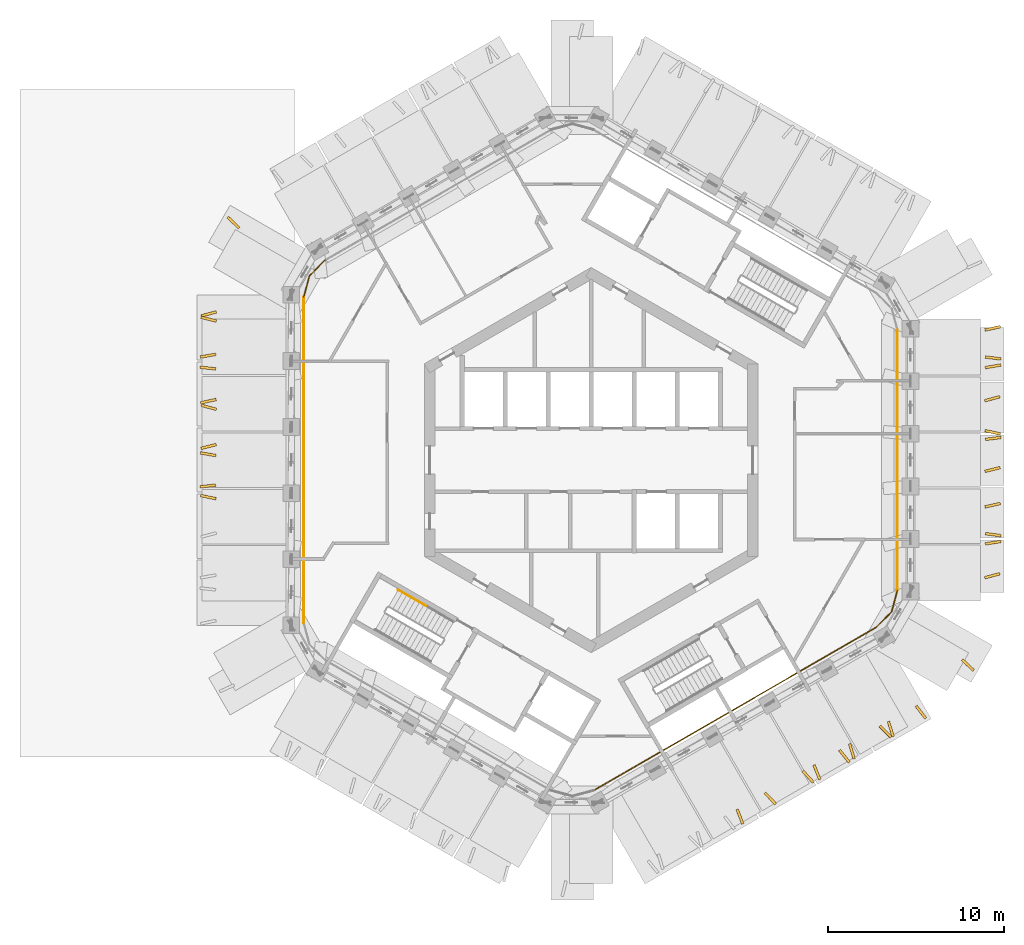
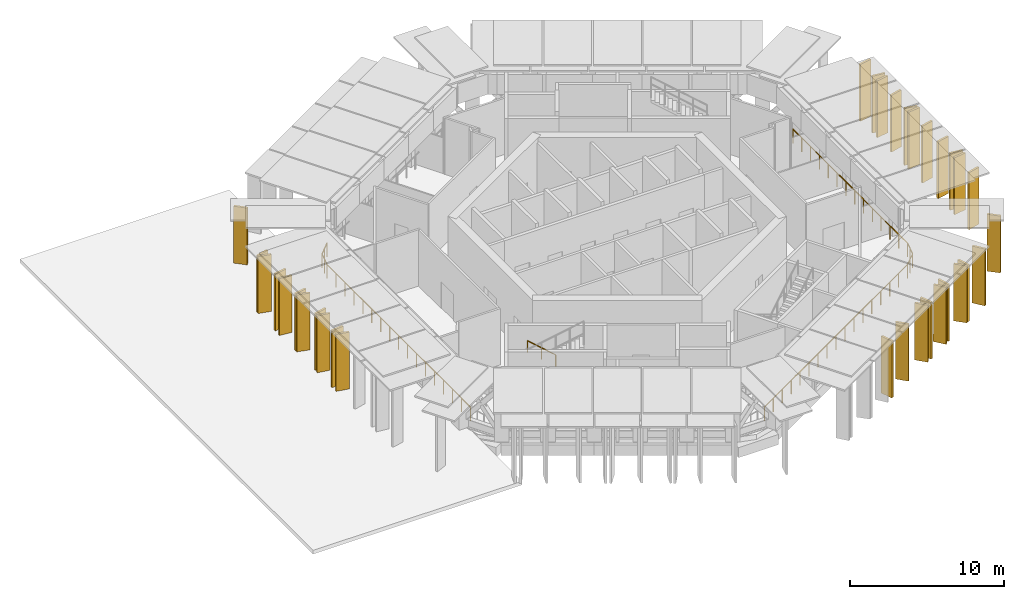
# One storey, part 14 of 15: 32 shading devices, 6 railings.
"""IFC4 building model written with IfcOpenShell, lengths in metres."""

from ifc_helpers import new_model, si_unit, direction, frame, origin, origin_2d, place, context, subcontext, project, spatial, polyline, circle, outline, extrude, material, layer, layer_set, type_object, element, save


model = new_model("IFC4")

# Units and contexts
model_context = context("Model", 3, precision=1e-05, world=origin(), true_north=direction((0.0, 1.0)))
body_context = subcontext(model_context, "Body", "Model", "MODEL_VIEW")
ifc_project = project(units=[si_unit("LENGTHUNIT", "METRE"), si_unit("AREAUNIT", "SQUARE_METRE"), si_unit("VOLUMEUNIT", "CUBIC_METRE"), si_unit("PLANEANGLEUNIT", "RADIAN"), si_unit("MASSUNIT", "GRAM", prefix="KILO")], contexts=[model_context])

# Site, building, storey
site_placement = place(None, origin())
site = spatial("IfcSite", under=ifc_project, at=site_placement, CompositionType="ELEMENT")
building_placement = place(site_placement, origin())
building = spatial("IfcBuilding", under=site, at=building_placement, Name="Ayvan Gate Tower", CompositionType="ELEMENT")
storey_placement = place(building_placement, frame((0.0, 0.0, 214.10009765625)))
storey = spatial("IfcBuildingStorey", under=building, at=storey_placement, Name="L57", CompositionType="ELEMENT", Elevation=214.10009765625)

# Shading devices
ifc_material_1 = material(Name="Bronze anodised aluminium", Category="aluminium")
ifc_layer = layer(ifc_material_1, 0.14990234375)
ifc_layer_set = layer_set([ifc_layer], Name="Bronze anodised aluminium")
shading_device_type = type_object("IfcShadingDeviceType", Name="Bronze fin 900 x 150", PredefinedType="USERDEFINED", material=ifc_layer_set)
shading_device_1_placement = place(storey_placement, frame((-19.9951171875, 13.2744140625, 0.0), z_axis=(0.690088518237, 0.723724908277, 0.00030681715), x_axis=(-0.723724942342, 0.690088550718, 0.0)))
element("IfcShadingDevice", 1, at=shading_device_1_placement, inside=storey, type_object=shading_device_type, Name="Bronze fin FG21.2.16", ObjectType="FIN", PredefinedType="USERDEFINED", context=body_context, shape_type="SweptSolid", body=[
    extrude(outline(polyline([(0.0, 0.0), (0.9000203660144157, 2.710505431213761e-20), (0.9000532140531101, 4.500000211807733), (3.2848038694404595e-05, 4.500000211807733), (0.0, 0.0)])), origin(), (0.0, 0.0, -1.0), 0.14990234375),
])
shading_device_2_placement = place(storey_placement, frame((-21.359130859375, 8.514892578125, 0.0), z_axis=(-0.256075212869, 0.966656801967, 0.000335506382), x_axis=(-0.966656856372, -0.256075227285, 1.1654e-08)))
element("IfcShadingDevice", 2, at=shading_device_2_placement, inside=storey, type_object=shading_device_type, Name="Bronze fin FG21.3.17", ObjectType="FIN", PredefinedType="USERDEFINED", context=body_context, shape_type="SweptSolid", body=[
    extrude(outline(polyline([(0.0, 0.0), (0.8998860824732328, -1.3552527156068805e-20), (0.9000252449052879, 4.500000242780941), (-9.683777702009976e-05, 4.500000263759003), (0.0, 0.0)])), origin(), (0.0, 0.0, -1.0), 0.14990234375),
])
shading_device_3_placement = place(storey_placement, frame((-21.326904296875, 7.990478515625, 0.0), z_axis=(0.242790920947, 0.970078584701, 0.00032895304), x_axis=(-0.970078637187, 0.242790934083, 0.0)))
element("IfcShadingDevice", 3, at=shading_device_3_placement, inside=storey, type_object=shading_device_type, Name="Bronze fin FG21.3.18", ObjectType="FIN", PredefinedType="USERDEFINED", context=body_context, shape_type="SweptSolid", body=[
    extrude(outline(polyline([(0.0, 0.0), (0.8999753644008668, 0.0), (0.8998565492233, 4.500000243472751), (-0.00011881517756681811, 4.500000243472751), (0.0, 0.0)])), origin(), (0.0, 0.0, -1.0), 0.14990234375),
])
shading_device_4_placement = place(storey_placement, frame((-21.380615234375, 6.099365234375, 0.0), z_axis=(-0.170906105942, 0.985287264735, 0.000330003781), x_axis=(-0.985287318385, -0.170906115249, 0.0)))
element("IfcShadingDevice", 4, at=shading_device_4_placement, inside=storey, type_object=shading_device_type, Name="Bronze fin FG21.3.19", ObjectType="FIN", PredefinedType="USERDEFINED", context=body_context, shape_type="SweptSolid", body=[
    extrude(outline(polyline([(0.0, 0.0), (0.8999595685990094, 0.0), (0.8999693706920529, 4.500000245030635), (9.802093043457987e-06, 4.500000245030635), (0.0, 0.0)])), origin(), (0.0, 0.0, -1.0), 0.14990234375),
])
shading_device_5_placement = place(storey_placement, frame((-21.37109375, 5.26513671875, 0.0), z_axis=(0.11528300629, 0.993332633019, 0.00032960497), x_axis=(-0.993332686977, 0.115283012552, 0.0)))
element("IfcShadingDevice", 5, at=shading_device_5_placement, inside=storey, type_object=shading_device_type, Name="Bronze fin FG21.3.20", ObjectType="FIN", PredefinedType="USERDEFINED", context=body_context, shape_type="SweptSolid", body=[
    extrude(outline(polyline([(0.0, 0.0), (0.9000438427842659, 6.776263578034403e-21), (0.9001174840468795, 4.500000244438752), (7.364126261360504e-05, 4.500000244438752), (0.0, 0.0)])), origin(), (0.0, 0.0, -1.0), 0.14990234375),
])
shading_device_6_placement = place(storey_placement, frame((-21.37255859375, 3.52490234375, 0.0), z_axis=(-0.207787369672, 0.978173962192, 0.00032968919), x_axis=(-0.978174015353, -0.207787380965, 0.0)))
element("IfcShadingDevice", 6, at=shading_device_6_placement, inside=storey, type_object=shading_device_type, Name="Bronze fin FG21.3.21", ObjectType="FIN", PredefinedType="USERDEFINED", context=body_context, shape_type="SweptSolid", body=[
    extrude(outline(polyline([(0.0, 0.0), (0.9000148030229282, 0.0), (0.900080367053797, 4.500000244563684), (6.556403086864944e-05, 4.500000244563684), (0.0, 0.0)])), origin(), (0.0, 0.0, -1.0), 0.14990234375),
])
shading_device_7_placement = place(storey_placement, frame((-21.320556640625, 2.96533203125, 0.0), z_axis=(0.256235539573, 0.966614322393, 0.000316235344), x_axis=(-0.966614370722, 0.256235552398, -4.1463e-08)))
element("IfcShadingDevice", 7, at=shading_device_7_placement, inside=storey, type_object=shading_device_type, Name="Bronze fin FG21.3.22", ObjectType="FIN", PredefinedType="USERDEFINED", context=body_context, shape_type="SweptSolid", body=[
    extrude(outline(polyline([(0.0, 0.0), (0.899948632788194, 0.0), (0.9000450808324824, 4.5000002623289665), (0.00015900555219804265, 4.500000187703233), (0.0, 0.0)])), origin(), (0.0, 0.0, -1.0), 0.14990234375),
])
shading_device_8_placement = place(storey_placement, frame((-21.363037109375, 0.962646484375, 0.0), z_axis=(-0.242790920947, 0.970078584701, 0.00032895304), x_axis=(-0.970078637187, -0.242790934083, 0.0)))
element("IfcShadingDevice", 8, at=shading_device_8_placement, inside=storey, type_object=shading_device_type, Name="Bronze fin FG21.3.23", ObjectType="FIN", PredefinedType="USERDEFINED", context=body_context, shape_type="SweptSolid", body=[
    extrude(outline(polyline([(0.0, 0.0), (0.8999753644008668, 0.0), (0.9000941795784336, 4.500000243472751), (0.00011881517756681811, 4.500000243472751), (0.0, 0.0)])), origin(), (0.0, 0.0, -1.0), 0.14990234375),
])
shading_device_9_placement = place(storey_placement, frame((-21.354248046875, 0.3330078125, 0.0), z_axis=(0.172663263432, 0.984980847638, 0.000356718683), x_axis=(-0.984980910309, 0.172663274401, 4.7658e-08)))
element("IfcShadingDevice", 9, at=shading_device_9_placement, inside=storey, type_object=shading_device_type, Name="Bronze fin FG21.3.24", ObjectType="FIN", PredefinedType="USERDEFINED", context=body_context, shape_type="SweptSolid", body=[
    extrude(outline(polyline([(0.0, 0.0), (0.8999705878542411, 6.776263578034403e-21), (0.8999583514517241, 4.5000002434183495), (-5.4390522243850554e-05, 4.5000003292018755), (0.0, 0.0)])), origin(), (0.0, 0.0, -1.0), 0.14990234375),
])
shading_device_10_placement = place(storey_placement, frame((-21.388671875, -1.34814453125, 0.0), z_axis=(-0.11203921428, 0.993703733429, 0.000323471267), x_axis=(-0.993703785416, -0.112039220141, 0.0)))
element("IfcShadingDevice", 10, at=shading_device_10_placement, inside=storey, type_object=shading_device_type, Name="Bronze fin FG21.3.25", ObjectType="FIN", PredefinedType="USERDEFINED", context=body_context, shape_type="SweptSolid", body=[
    extrude(outline(polyline([(0.0, 0.0), (0.8999534091546, 0.0), (0.9001175291059785, 4.5000002354257544), (0.00016411995137855526, 4.5000002354257544), (0.0, 0.0)])), origin(), (0.0, 0.0, -1.0), 0.14990234375),
])
shading_device_11_placement = place(storey_placement, frame((-21.34228515625, -2.126953125, 0.0), z_axis=(0.205887428835, 0.978575625192, 0.000335301915), x_axis=(-0.978575680201, 0.205887440411, -9.364e-09)))
element("IfcShadingDevice", 11, at=shading_device_11_placement, inside=storey, type_object=shading_device_type, Name="Bronze fin FG21.3.26", ObjectType="FIN", PredefinedType="USERDEFINED", context=body_context, shape_type="SweptSolid", body=[
    extrude(outline(polyline([(0.0, 0.0), (0.8999001576555774, 0.0), (0.9000763427416768, 4.500000261390321), (-6.272499207479672e-05, 4.500000244533969), (0.0, 0.0)])), origin(), (0.0, 0.0, -1.0), 0.14990234375),
])
shading_device_12_placement = place(storey_placement, frame((8.2421875, -19.906005859375, 0.0), z_axis=(-0.933016570808, -0.359833255176, 0.000327212146), x_axis=(0.359833274456, -0.933016620749, 5.7382e-08)))
element("IfcShadingDevice", 12, at=shading_device_12_placement, inside=storey, type_object=shading_device_type, Name="Bronze fin FG21.7.54", ObjectType="FIN", PredefinedType="USERDEFINED", context=body_context, shape_type="SweptSolid", body=[
    extrude(outline(polyline([(0.0, 0.0), (0.8999372348534267, 0.0), (0.8999211681529774, 4.5000001892633135), (-0.0001560040408527177, 4.500000292551663), (0.0, 0.0)])), origin(), (0.0, 0.0, -1.0), 0.14990234375),
])
shading_device_13_placement = place(storey_placement, frame((9.8369140625, -18.991943359375, 0.0), z_axis=(-0.72537855598, -0.688350069484, 0.000363821281), x_axis=(0.688350115031, -0.725378603997, -3.5799e-08)))
element("IfcShadingDevice", 13, at=shading_device_13_placement, inside=storey, type_object=shading_device_type, Name="Bronze fin FG21.7.55", ObjectType="FIN", PredefinedType="USERDEFINED", context=body_context, shape_type="SweptSolid", body=[
    extrude(outline(polyline([(0.0, 0.0), (0.8999039621391457, -2.710505431213761e-20), (0.8998586002530065, 4.500000330037093), (-0.00021341611344182534, 4.50000026560037), (0.0, 0.0)])), origin(), (0.0, 0.0, -1.0), 0.14990234375),
])
shading_device_14_placement = place(storey_placement, frame((11.9951171875, -17.749755859375, 0.0), z_axis=(-0.733908371352, -0.67924840579, 0.00032510044), x_axis=(0.679248441693, -0.733908410129, 2.9954e-08)))
element("IfcShadingDevice", 14, at=shading_device_14_placement, inside=storey, type_object=shading_device_type, Name="Bronze fin FG21.7.57", ObjectType="FIN", PredefinedType="USERDEFINED", context=body_context, shape_type="SweptSolid", body=[
    extrude(outline(polyline([(0.0, 0.0), (0.899917077001317, 0.0), (0.8998638329185564, 4.500000210848731), (-0.0002324209407022968, 4.5000002647662), (0.0, 0.0)])), origin(), (0.0, 0.0, -1.0), 0.14990234375),
])
shading_device_15_placement = place(storey_placement, frame((12.616455078125, -17.38720703125, 0.0), z_axis=(-0.925529617351, -0.378675072046, 0.000342368047), x_axis=(0.37867509424, -0.925529671595, 0.0)))
element("IfcShadingDevice", 15, at=shading_device_15_placement, inside=storey, type_object=shading_device_type, Name="Bronze fin FG21.7.58", ObjectType="FIN", PredefinedType="USERDEFINED", context=body_context, shape_type="SweptSolid", body=[
    extrude(outline(polyline([(0.0, 0.0), (0.9000336110938485, 0.0), (0.9001363921539679, 4.500000263735752), (0.00010278106011949863, 4.500000263735752), (0.0, 0.0)])), origin(), (0.0, 0.0, -1.0), 0.14990234375),
])
shading_device_16_placement = place(storey_placement, frame((14.08447265625, -16.56005859375, 0.0), z_axis=(-0.77999469394, -0.625786040313, 0.000330415832), x_axis=(0.625786074466, -0.779994736524, -2.8041e-08)))
element("IfcShadingDevice", 16, at=shading_device_16_placement, inside=storey, type_object=shading_device_type, Name="Bronze fin FG21.7.59", ObjectType="FIN", PredefinedType="USERDEFINED", context=body_context, shape_type="SweptSolid", body=[
    extrude(outline(polyline([(0.0, 0.0), (0.9001350918053651, 0.0), (0.9001371510289431, 4.500000270883412), (0.0001924876260496746, 4.500000220407886), (0.0, 0.0)])), origin(), (0.0, 0.0, -1.0), 0.14990234375),
])
shading_device_17_placement = place(storey_placement, frame((14.647216796875, -16.1748046875, 0.0), z_axis=(-0.958339828165, -0.285630296931, 0.000327456015), x_axis=(0.285630312245, -0.958339879545, 0.0)))
element("IfcShadingDevice", 17, at=shading_device_17_placement, inside=storey, type_object=shading_device_type, Name="Bronze fin FG21.7.60", ObjectType="FIN", PredefinedType="USERDEFINED", context=body_context, shape_type="SweptSolid", body=[
    extrude(outline(polyline([(0.0, 0.0), (0.9000448030340306, 0.0), (0.9002292371145785, 4.500000241261764), (0.00018443408054786192, 4.500000241261764), (0.0, 0.0)])), origin(), (0.0, 0.0, -1.0), 0.14990234375),
])
shading_device_18_placement = place(storey_placement, frame((16.392333984375, -15.197998046875, 0.0), z_axis=(-0.707310149872, -0.706903260045, 0.000364453962), x_axis=(0.706903306983, -0.707310196856, -3.4939e-08)))
element("IfcShadingDevice", 18, at=shading_device_18_placement, inside=storey, type_object=shading_device_type, Name="Bronze fin FG21.7.61", ObjectType="FIN", PredefinedType="USERDEFINED", context=body_context, shape_type="SweptSolid", body=[
    extrude(outline(polyline([(0.0, 0.0), (0.9001110867671362, -2.710505431213761e-20), (0.9001104328476766, 4.50000033030949), (0.000172029234069636, 4.500000267416668), (0.0, 0.0)])), origin(), (0.0, 0.0, -1.0), 0.14990234375),
])
shading_device_19_placement = place(storey_placement, frame((16.8583984375, -14.9033203125, 0.0), z_axis=(-0.955284924881, -0.29568665856, 0.000335028187), x_axis=(0.295686675159, -0.955284978492, 1.3438e-08)))
element("IfcShadingDevice", 19, at=shading_device_19_placement, inside=storey, type_object=shading_device_type, Name="Bronze fin FG21.7.62", ObjectType="FIN", PredefinedType="USERDEFINED", context=body_context, shape_type="SweptSolid", body=[
    extrude(outline(polyline([(0.0, 0.0), (0.8998674036121587, 0.0), (0.9000673749909106, 4.500000240453381), (-3.325249295018073e-05, 4.500000264641908), (0.0, 0.0)])), origin(), (0.0, 0.0, -1.0), 0.14990234375),
])
shading_device_20_placement = place(storey_placement, frame((18.446533203125, -14.044677734375, 0.0), z_axis=(-0.791159675892, -0.611609554041, 0.000347343565), x_axis=(0.611609590936, -0.791159723618, 0.0)))
element("IfcShadingDevice", 20, at=shading_device_20_placement, inside=storey, type_object=shading_device_type, Name="Bronze fin FG21.7.63", ObjectType="FIN", PredefinedType="USERDEFINED", context=body_context, shape_type="SweptSolid", body=[
    extrude(outline(polyline([(0.0, 0.0), (0.900144663416503, 2.710505431213761e-20), (0.9001186402378422, 4.500000271457018), (-2.602317866088346e-05, 4.500000271457018), (0.0, 0.0)])), origin(), (0.0, 0.0, -1.0), 0.14990234375),
])
shading_device_21_placement = place(storey_placement, frame((21.072998046875, -11.412109375, 0.0), z_axis=(-0.685982061592, -0.727618378893, 0.000325379383), x_axis=(0.727618417417, -0.685982097898, 3.0269e-08)))
element("IfcShadingDevice", 21, at=shading_device_21_placement, inside=storey, type_object=shading_device_type, Name="Bronze fin FG21.8.64", ObjectType="FIN", PredefinedType="USERDEFINED", context=body_context, shape_type="SweptSolid", body=[
    extrude(outline(polyline([(0.0, 0.0), (0.9001584324980664, 2.710505431213761e-20), (0.9001992291755354, 4.500000210963574), (0.00021843789265876574, 4.500000265451466), (0.0, 0.0)])), origin(), (0.0, 0.0, -1.0), 0.14990234375),
])
shading_device_22_placement = place(storey_placement, frame((22.43017578125, -6.77294921875, 0.0), z_axis=(0.257730177734, -0.96621687158, 0.000335497857), x_axis=(0.966216925959, 0.257730192236, -1.1728e-08)))
element("IfcShadingDevice", 22, at=shading_device_22_placement, inside=storey, type_object=shading_device_type, Name="Bronze fin FG21.9.65", ObjectType="FIN", PredefinedType="USERDEFINED", context=body_context, shape_type="SweptSolid", body=[
    extrude(outline(polyline([(0.0, 0.0), (0.9000264582252869, 4.0657581468206416e-20), (0.8999321543039109, 4.500000263811409), (0.0001415888828132334, 4.500000242703842), (0.0, 0.0)])), origin(), (0.0, 0.0, -1.0), 0.14990234375),
])
shading_device_23_placement = place(storey_placement, frame((22.45458984375, -4.847900390625, 0.0), z_axis=(0.15762015417, -0.987499761062, 0.000330003186), x_axis=(0.987499814832, 0.157620162752, 0.0)))
element("IfcShadingDevice", 23, at=shading_device_23_placement, inside=storey, type_object=shading_device_type, Name="Bronze fin FG21.9.67", ObjectType="FIN", PredefinedType="USERDEFINED", context=body_context, shape_type="SweptSolid", body=[
    extrude(outline(polyline([(0.0, 0.0), (0.8999210548215001, 6.776263578034403e-21), (0.8999108549098009, 4.50000024502975), (-1.0199911699177743e-05, 4.50000024502975), (0.0, 0.0)])), origin(), (0.0, 0.0, -1.0), 0.14990234375),
])
shading_device_24_placement = place(storey_placement, frame((22.439208984375, -4.26123046875, 0.0), z_axis=(-0.129658067103, -0.991558711913, 0.000326290218), x_axis=(0.991558764696, -0.129658074007, -5.739e-09)))
element("IfcShadingDevice", 24, at=shading_device_24_placement, inside=storey, type_object=shading_device_type, Name="Bronze fin FG21.9.68", ObjectType="FIN", PredefinedType="USERDEFINED", context=body_context, shape_type="SweptSolid", body=[
    extrude(outline(polyline([(0.0, 0.0), (0.8999325791840834, 0.0), (0.8999847043177099, 4.500000244711586), (-0.00018995464291049735, 4.500000234381544), (0.0, 0.0)])), origin(), (0.0, 0.0, -1.0), 0.14990234375),
])
shading_device_25_placement = place(storey_placement, frame((22.44189453125, -2.7412109375, 0.0), z_axis=(0.217275085237, -0.976110354839, 0.000335426148), x_axis=(0.976110409751, 0.217275097457, -9.883e-09)))
element("IfcShadingDevice", 25, at=shading_device_25_placement, inside=storey, type_object=shading_device_type, Name="Bronze fin FG21.9.69", ObjectType="FIN", PredefinedType="USERDEFINED", context=body_context, shape_type="SweptSolid", body=[
    extrude(outline(polyline([(0.0, 0.0), (0.9001608197652233, 0.0), (0.9000024329484332, 4.500000262043987), (7.99213887155723e-05, 4.500000244253435), (0.0, 0.0)])), origin(), (0.0, 0.0, -1.0), 0.14990234375),
])
shading_device_26_placement = place(storey_placement, frame((22.436279296875, -0.714599609375, 0.0), z_axis=(0.23761802562, -0.971358618431, 0.00032908907), x_axis=(0.97135867103, 0.237618038487, 0.0)))
element("IfcShadingDevice", 26, at=shading_device_26_placement, inside=storey, type_object=shading_device_type, Name="Bronze fin FG21.9.71", ObjectType="FIN", PredefinedType="USERDEFINED", context=body_context, shape_type="SweptSolid", body=[
    extrude(outline(polyline([(0.0, 0.0), (0.9000460944027884, -1.3552527156068805e-20), (0.9001570195883091, 4.5000002436741555), (0.00011092518552066503, 4.5000002436741555), (0.0, 0.0)])), origin(), (0.0, 0.0, -1.0), 0.14990234375),
])
shading_device_27_placement = place(storey_placement, frame((22.45947265625, 1.105712890625, 0.0), z_axis=(0.121513915601, -0.992589674425, 0.000326404894), x_axis=(0.9925897273, 0.121513922076, 5.38e-09)))
element("IfcShadingDevice", 27, at=shading_device_27_placement, inside=storey, type_object=shading_device_type, Name="Bronze fin FG21.9.73", ObjectType="FIN", PredefinedType="USERDEFINED", context=body_context, shape_type="SweptSolid", body=[
    extrude(outline(polyline([(0.0, 0.0), (0.8999814573440313, -6.776263578034403e-21), (0.9001594804620344, 4.5000002348727675), (-6.43083583885863e-05, 4.500000244557357), (0.0, 0.0)])), origin(), (0.0, 0.0, -1.0), 0.14990234375),
])
shading_device_28_placement = place(storey_placement, frame((22.41162109375, 1.60498046875, 0.0), z_axis=(-0.211584917724, -0.977359562257, 0.000329630116), x_axis=(0.977359615355, -0.211584929219, 0.0)))
element("IfcShadingDevice", 28, at=shading_device_28_placement, inside=storey, type_object=shading_device_type, Name="Bronze fin FG21.9.74", ObjectType="FIN", PredefinedType="USERDEFINED", context=body_context, shape_type="SweptSolid", body=[
    extrude(outline(polyline([(0.0, 0.0), (0.9000153659462496, 0.0), (0.8999440402724312, 4.50000024447605), (-7.132567381847293e-05, 4.50000024447605), (0.0, 0.0)])), origin(), (0.0, 0.0, -1.0), 0.14990234375),
])
shading_device_29_placement = place(storey_placement, frame((22.430419921875, 3.306640625, 0.0), z_axis=(0.256902745534, -0.966437202707, 0.000335502243), x_axis=(0.9664372571, 0.256902759988, -1.169e-08)))
element("IfcShadingDevice", 29, at=shading_device_29_placement, inside=storey, type_object=shading_device_type, Name="Bronze fin FG21.9.75", ObjectType="FIN", PredefinedType="USERDEFINED", context=body_context, shape_type="SweptSolid", body=[
    extrude(outline(polyline([(0.0, 0.0), (0.9000739406140514, 2.710505431213761e-20), (0.8999783172216723, 4.50000026378427), (0.00014032320359240872, 4.500000242744193), (0.0, 0.0)])), origin(), (0.0, 0.0, -1.0), 0.14990234375),
])
shading_device_30_placement = place(storey_placement, frame((22.45263671875, 5.189697265625, 0.0), z_axis=(0.169016515557, -0.985613163753, 0.000330007351), x_axis=(0.985613217423, 0.16901652476, 0.0)))
element("IfcShadingDevice", 30, at=shading_device_30_placement, inside=storey, type_object=shading_device_type, Name="Bronze fin FG21.9.77", ObjectType="FIN", PredefinedType="USERDEFINED", context=body_context, shape_type="SweptSolid", body=[
    extrude(outline(polyline([(0.0, 0.0), (0.8999096957572373, 0.0), (0.8999166503302694, 4.500000245035936), (6.954573032074877e-06, 4.500000245035936), (0.0, 0.0)])), origin(), (0.0, 0.0, -1.0), 0.14990234375),
])
shading_device_31_placement = place(storey_placement, frame((22.44189453125, 5.794921875, 0.0), z_axis=(-0.11962654069, -0.992818909125, 0.000323183239), x_axis=(0.992818960973, -0.119626546937, 0.0)))
element("IfcShadingDevice", 31, at=shading_device_31_placement, inside=storey, type_object=shading_device_type, Name="Bronze fin FG21.9.78", ObjectType="FIN", PredefinedType="USERDEFINED", context=body_context, shape_type="SweptSolid", body=[
    extrude(outline(polyline([(0.0, 0.0), (0.9000177500881776, 6.776263578034403e-21), (0.899842515888563, 4.500000235006681), (-0.00017523419961465412, 4.500000235006681), (0.0, 0.0)])), origin(), (0.0, 0.0, -1.0), 0.14990234375),
])
shading_device_32_placement = place(storey_placement, frame((22.443115234375, 7.333251953125, 0.0), z_axis=(0.213223561036, -0.977003377954, 0.000335387132), x_axis=(0.977003432903, 0.213223573032, 9.701e-09)))
element("IfcShadingDevice", 32, at=shading_device_32_placement, inside=storey, type_object=shading_device_type, Name="Bronze fin FG21.9.79", ObjectType="FIN", PredefinedType="USERDEFINED", context=body_context, shape_type="SweptSolid", body=[
    extrude(outline(polyline([(0.0, 0.0), (0.8998493872767135, 0.0), (0.8999232439213197, 4.500000244359947), (-0.00016466958412977582, 4.500000261821354), (0.0, 0.0)])), origin(), (0.0, 0.0, -1.0), 0.14990234375),
])

# Railings
ifc_material_2 = material(Name="Stainless steel balustrade", Category="steel")
railing_type_1 = type_object("IfcRailingType", Name="RL-HANDRAIL-900", PredefinedType="HANDRAIL", material=ifc_material_2)
railing_1_placement = place(storey_placement, frame((-9.4072265625, -8.303955078125, 1.28564453125)))
element("IfcRailing", 33, at=railing_1_placement, inside=storey, type_object=railing_type_1, Name="L57 STS2 stair handrail 2", PredefinedType="HANDRAIL", context=body_context, shape_type="SweptSolid", body=[
    extrude(circle(Radius=0.02392578125, at=origin_2d()), frame((0.0, 0.0, 0.8759765625), z_axis=(-0.738574076676, 0.426487632876, 0.522127026944), x_axis=(-0.500063042646, -0.865989003036, 0.0)), (0.0, 0.0, 1.0), 2.134033203125),
    extrude(circle(Radius=0.02099609375, at=origin_2d()), origin(), (0.0, 0.0, 1.0), 0.851806640625),
    extrude(circle(Radius=0.02099609375, at=origin_2d()), frame((-0.7880859375, 0.455078125, 0.55712890625)), (0.0, 0.0, 1.0), 0.851806640625),
    extrude(circle(Radius=0.02099609375, at=origin_2d()), frame((-1.576171875, 0.91015625, 1.1142578125)), (0.0, 0.0, 1.0), 0.851806640625),
])
ifc_material_3 = material(Name="Stainless steel 316 and laminated glass", Category="steel")
railing_type_2 = type_object("IfcRailingType", Name="Refuge band guard 1100", PredefinedType="GUARDRAIL", material=ifc_material_3)
railing_2_placement = place(storey_placement, frame((-15.154296875, 11.384765625, 0.0)))
element("IfcRailing", 34, at=railing_2_placement, inside=storey, type_object=railing_type_2, Name="Refuge band guard L57.2", PredefinedType="GUARDRAIL", context=body_context, shape_type="SweptSolid", body=[
    extrude(circle(Radius=0.02490234375, at=origin_2d()), frame((0.0, 0.0, 1.0751953125), z_axis=(-0.707106781187, -0.707106781187, 0.0), x_axis=(0.707106781187, -0.707106781187, 0.0)), (0.0, 0.0, 1.0), 1.25341796875),
    extrude(circle(Radius=0.02490234375, at=origin_2d()), frame((-0.88623046875, -0.88623046875, 1.0751953125), z_axis=(-0.258729592934, -0.965949790486, 0.0), x_axis=(0.965949790486, -0.258729592934, 0.0)), (0.0, 0.0, 1.0), 1.253173828125),
    extrude(circle(Radius=0.02001953125, at=origin_2d()), origin(), (0.0, 0.0, 1.0), 1.050048828125),
    extrude(circle(Radius=0.02001953125, at=origin_2d()), frame((-0.443115234375, -0.443115234375, 0.0)), (0.0, 0.0, 1.0), 1.050048828125),
    extrude(circle(Radius=0.02001953125, at=origin_2d()), frame((-0.88623046875, -0.88623046875, 0.0)), (0.0, 0.0, 1.0), 1.050048828125),
    extrude(circle(Radius=0.02001953125, at=origin_2d()), frame((-1.04833984375, -1.491455078125, 0.0)), (0.0, 0.0, 1.0), 1.050048828125),
    extrude(circle(Radius=0.02001953125, at=origin_2d()), frame((-1.21044921875, -2.0966796875, 0.0)), (0.0, 0.0, 1.0), 1.050048828125),
])
railing_3_placement = place(storey_placement, frame((-16.36474609375, 9.2880859375, 0.0)))
element("IfcRailing", 35, at=railing_3_placement, inside=storey, type_object=railing_type_2, Name="Refuge band guard L57.3", PredefinedType="GUARDRAIL", context=body_context, shape_type="SweptSolid", body=[
    extrude(circle(Radius=0.02490234375, at=origin_2d()), frame((0.0, 0.0, 1.0751953125), z_axis=(0.0, -1.0, 0.0), x_axis=(1.0, 0.0, 0.0)), (0.0, 0.0, 1.0), 18.576171875),
    extrude(circle(Radius=0.02001953125, at=origin_2d()), origin(), (0.0, 0.0, 1.0), 1.050048828125),
    extrude(circle(Radius=0.02001953125, at=origin_2d()), frame((0.0, -1.1611328125, 0.0)), (0.0, 0.0, 1.0), 1.050048828125),
    extrude(circle(Radius=0.02001953125, at=origin_2d()), frame((0.0, -2.322021484375, 0.0)), (0.0, 0.0, 1.0), 1.050048828125),
    extrude(circle(Radius=0.02001953125, at=origin_2d()), frame((0.0, -3.48291015625, 0.0)), (0.0, 0.0, 1.0), 1.050048828125),
    extrude(circle(Radius=0.02001953125, at=origin_2d()), frame((0.0, -4.64404296875, 0.0)), (0.0, 0.0, 1.0), 1.050048828125),
    extrude(circle(Radius=0.02001953125, at=origin_2d()), frame((0.0, -5.80517578125, 0.0)), (0.0, 0.0, 1.0), 1.050048828125),
    extrude(circle(Radius=0.02001953125, at=origin_2d()), frame((0.0, -6.966064453125, 0.0)), (0.0, 0.0, 1.0), 1.050048828125),
    extrude(circle(Radius=0.02001953125, at=origin_2d()), frame((0.0, -8.126953125, 0.0)), (0.0, 0.0, 1.0), 1.050048828125),
    extrude(circle(Radius=0.02001953125, at=origin_2d()), frame((0.0, -9.2880859375, 0.0)), (0.0, 0.0, 1.0), 1.050048828125),
    extrude(circle(Radius=0.02001953125, at=origin_2d()), frame((0.0, -10.44921875, 0.0)), (0.0, 0.0, 1.0), 1.050048828125),
    extrude(circle(Radius=0.02001953125, at=origin_2d()), frame((0.0, -11.610107421875, 0.0)), (0.0, 0.0, 1.0), 1.050048828125),
    extrude(circle(Radius=0.02001953125, at=origin_2d()), frame((0.0, -12.77099609375, 0.0)), (0.0, 0.0, 1.0), 1.050048828125),
    extrude(circle(Radius=0.02001953125, at=origin_2d()), frame((0.0, -13.93212890625, 0.0)), (0.0, 0.0, 1.0), 1.050048828125),
    extrude(circle(Radius=0.02001953125, at=origin_2d()), frame((0.0, -15.09326171875, 0.0)), (0.0, 0.0, 1.0), 1.050048828125),
    extrude(circle(Radius=0.02001953125, at=origin_2d()), frame((0.0, -16.254150390625, 0.0)), (0.0, 0.0, 1.0), 1.050048828125),
    extrude(circle(Radius=0.02001953125, at=origin_2d()), frame((0.0, -17.4150390625, 0.0)), (0.0, 0.0, 1.0), 1.050048828125),
    extrude(circle(Radius=0.02001953125, at=origin_2d()), frame((0.0, -18.576171875, 0.0)), (0.0, 0.0, 1.0), 1.050048828125),
])
railing_4_placement = place(storey_placement, frame((0.138671875, -18.81640625, 0.0)))
element("IfcRailing", 36, at=railing_4_placement, inside=storey, type_object=railing_type_2, Name="Refuge band guard L57.7", PredefinedType="GUARDRAIL", context=body_context, shape_type="SweptSolid", body=[
    extrude(circle(Radius=0.02490234375, at=origin_2d()), frame((0.0, 0.0, 1.0751953125), z_axis=(0.866024940756, 0.500000801987, 0.0), x_axis=(-0.500000801987, 0.866024940756, 0.0)), (0.0, 0.0, 1.0), 18.576171875),
    extrude(circle(Radius=0.02001953125, at=origin_2d()), origin(), (0.0, 0.0, 1.0), 1.050048828125),
    extrude(circle(Radius=0.02001953125, at=origin_2d()), frame((1.00537109375, 0.58056640625, 0.0)), (0.0, 0.0, 1.0), 1.050048828125),
    extrude(circle(Radius=0.02001953125, at=origin_2d()), frame((2.010986328125, 1.1611328125, 0.0)), (0.0, 0.0, 1.0), 1.050048828125),
    extrude(circle(Radius=0.02001953125, at=origin_2d()), frame((3.016357421875, 1.741455078125, 0.0)), (0.0, 0.0, 1.0), 1.050048828125),
    extrude(circle(Radius=0.02001953125, at=origin_2d()), frame((4.02197265625, 2.322021484375, 0.0)), (0.0, 0.0, 1.0), 1.050048828125),
    extrude(circle(Radius=0.02001953125, at=origin_2d()), frame((5.02734375, 2.902587890625, 0.0)), (0.0, 0.0, 1.0), 1.050048828125),
    extrude(circle(Radius=0.02001953125, at=origin_2d()), frame((6.03271484375, 3.48291015625, 0.0)), (0.0, 0.0, 1.0), 1.050048828125),
    extrude(circle(Radius=0.02001953125, at=origin_2d()), frame((7.038330078125, 4.0634765625, 0.0)), (0.0, 0.0, 1.0), 1.050048828125),
    extrude(circle(Radius=0.02001953125, at=origin_2d()), frame((8.043701171875, 4.64404296875, 0.0)), (0.0, 0.0, 1.0), 1.050048828125),
    extrude(circle(Radius=0.02001953125, at=origin_2d()), frame((9.049072265625, 5.224609375, 0.0)), (0.0, 0.0, 1.0), 1.050048828125),
    extrude(circle(Radius=0.02001953125, at=origin_2d()), frame((10.0546875, 5.80517578125, 0.0)), (0.0, 0.0, 1.0), 1.050048828125),
    extrude(circle(Radius=0.02001953125, at=origin_2d()), frame((11.06005859375, 6.385498046875, 0.0)), (0.0, 0.0, 1.0), 1.050048828125),
    extrude(circle(Radius=0.02001953125, at=origin_2d()), frame((12.0654296875, 6.966064453125, 0.0)), (0.0, 0.0, 1.0), 1.050048828125),
    extrude(circle(Radius=0.02001953125, at=origin_2d()), frame((13.071044921875, 7.546630859375, 0.0)), (0.0, 0.0, 1.0), 1.050048828125),
    extrude(circle(Radius=0.02001953125, at=origin_2d()), frame((14.076416015625, 8.126953125, 0.0)), (0.0, 0.0, 1.0), 1.050048828125),
    extrude(circle(Radius=0.02001953125, at=origin_2d()), frame((15.08203125, 8.70751953125, 0.0)), (0.0, 0.0, 1.0), 1.050048828125),
    extrude(circle(Radius=0.02001953125, at=origin_2d()), frame((16.08740234375, 9.2880859375, 0.0)), (0.0, 0.0, 1.0), 1.050048828125),
])
railing_5_placement = place(storey_placement, frame((16.22607421875, -9.5283203125, 0.0)))
element("IfcRailing", 37, at=railing_5_placement, inside=storey, type_object=railing_type_2, Name="Refuge band guard L57.8", PredefinedType="GUARDRAIL", context=body_context, shape_type="SweptSolid", body=[
    extrude(circle(Radius=0.02490234375, at=origin_2d()), frame((0.0, 0.0, 1.0751953125), z_axis=(0.707009363432, 0.707204185522, 0.0), x_axis=(-0.707204185522, 0.707009363432, 0.0)), (0.0, 0.0, 1.0), 1.253173828125),
    extrude(circle(Radius=0.02490234375, at=origin_2d()), frame((0.885986328125, 0.88623046875, 1.0751953125), z_axis=(0.258911363806, 0.965901084838, 0.0), x_axis=(-0.965901084838, 0.258911363806, 0.0)), (0.0, 0.0, 1.0), 1.253173828125),
    extrude(circle(Radius=0.02001953125, at=origin_2d()), origin(), (0.0, 0.0, 1.0), 1.050048828125),
    extrude(circle(Radius=0.02001953125, at=origin_2d()), frame((0.44287109375, 0.443115234375, 0.0)), (0.0, 0.0, 1.0), 1.050048828125),
    extrude(circle(Radius=0.02001953125, at=origin_2d()), frame((0.885986328125, 0.88623046875, 0.0)), (0.0, 0.0, 1.0), 1.050048828125),
    extrude(circle(Radius=0.02001953125, at=origin_2d()), frame((1.04833984375, 1.491455078125, 0.0)), (0.0, 0.0, 1.0), 1.050048828125),
    extrude(circle(Radius=0.02001953125, at=origin_2d()), frame((1.21044921875, 2.0966796875, 0.0)), (0.0, 0.0, 1.0), 1.050048828125),
])
railing_6_placement = place(storey_placement, frame((17.4365234375, -7.431640625, 0.0)))
element("IfcRailing", 38, at=railing_6_placement, inside=storey, type_object=railing_type_2, Name="Refuge band guard L57.9", PredefinedType="GUARDRAIL", context=body_context, shape_type="SweptSolid", body=[
    extrude(circle(Radius=0.02490234375, at=origin_2d()), frame((0.0, 0.0, 1.0751953125), z_axis=(0.0, 1.0, 0.0), x_axis=(-1.0, 0.0, 0.0)), (0.0, 0.0, 1.0), 14.86328125),
    extrude(circle(Radius=0.02001953125, at=origin_2d()), origin(), (0.0, 0.0, 1.0), 1.050048828125),
    extrude(circle(Radius=0.02001953125, at=origin_2d()), frame((0.0, 1.143310546875, 0.0)), (0.0, 0.0, 1.0), 1.050048828125),
    extrude(circle(Radius=0.02001953125, at=origin_2d()), frame((0.0, 2.28662109375, 0.0)), (0.0, 0.0, 1.0), 1.050048828125),
    extrude(circle(Radius=0.02001953125, at=origin_2d()), frame((0.0, 3.429931640625, 0.0)), (0.0, 0.0, 1.0), 1.050048828125),
    extrude(circle(Radius=0.02001953125, at=origin_2d()), frame((0.0, 4.5732421875, 0.0)), (0.0, 0.0, 1.0), 1.050048828125),
    extrude(circle(Radius=0.02001953125, at=origin_2d()), frame((0.0, 5.716552734375, 0.0)), (0.0, 0.0, 1.0), 1.050048828125),
    extrude(circle(Radius=0.02001953125, at=origin_2d()), frame((0.0, 6.85986328125, 0.0)), (0.0, 0.0, 1.0), 1.050048828125),
    extrude(circle(Radius=0.02001953125, at=origin_2d()), frame((0.0, 8.00341796875, 0.0)), (0.0, 0.0, 1.0), 1.050048828125),
    extrude(circle(Radius=0.02001953125, at=origin_2d()), frame((0.0, 9.146728515625, 0.0)), (0.0, 0.0, 1.0), 1.050048828125),
    extrude(circle(Radius=0.02001953125, at=origin_2d()), frame((0.0, 10.2900390625, 0.0)), (0.0, 0.0, 1.0), 1.050048828125),
    extrude(circle(Radius=0.02001953125, at=origin_2d()), frame((0.0, 11.433349609375, 0.0)), (0.0, 0.0, 1.0), 1.050048828125),
    extrude(circle(Radius=0.02001953125, at=origin_2d()), frame((0.0, 12.57666015625, 0.0)), (0.0, 0.0, 1.0), 1.050048828125),
    extrude(circle(Radius=0.02001953125, at=origin_2d()), frame((0.0, 13.719970703125, 0.0)), (0.0, 0.0, 1.0), 1.050048828125),
    extrude(circle(Radius=0.02001953125, at=origin_2d()), frame((0.0, 14.86328125, 0.0)), (0.0, 0.0, 1.0), 1.050048828125),
])

save(model, "model.ifc")
